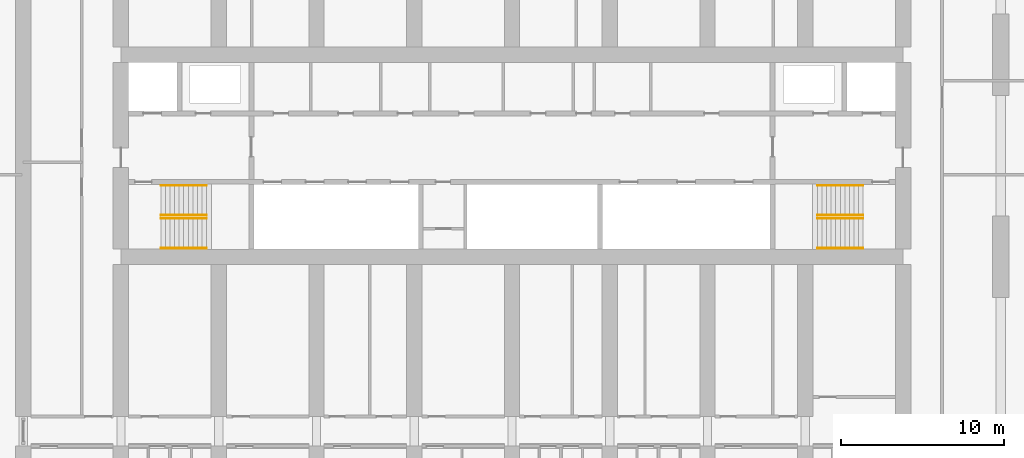
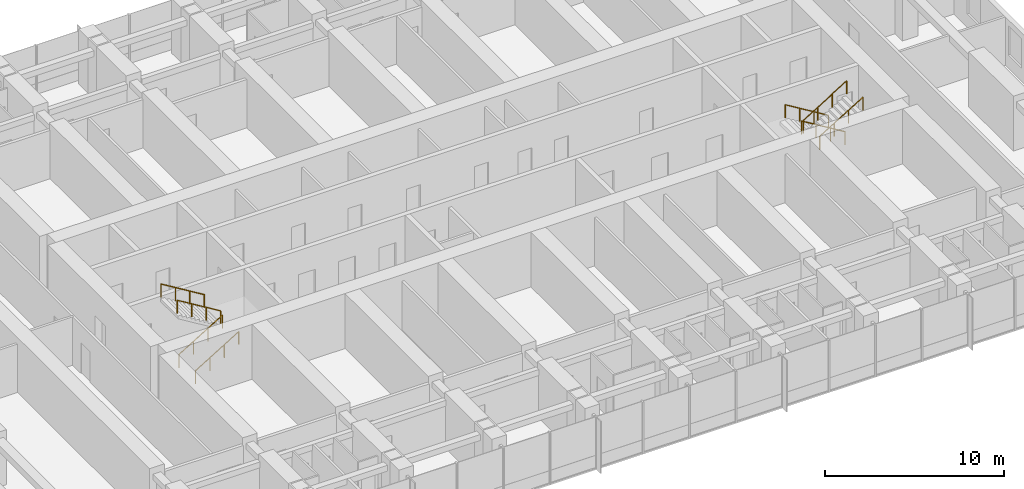
# One storey, part 21 of 21: 8 railings.
"""IFC4 building model written with IfcOpenShell, lengths in metres."""

from ifc_helpers import new_model, si_unit, direction, frame, origin, origin_2d, place, context, subcontext, project, spatial, circle, extrude, material, type_object, element, save


model = new_model("IFC4")

# Units and contexts
model_context = context("Model", 3, precision=1e-05, world=origin(), true_north=direction((0.0, 1.0)))
body_context = subcontext(model_context, "Body", "Model", "MODEL_VIEW")
ifc_project = project(units=[si_unit("LENGTHUNIT", "METRE"), si_unit("AREAUNIT", "SQUARE_METRE"), si_unit("VOLUMEUNIT", "CUBIC_METRE"), si_unit("PLANEANGLEUNIT", "RADIAN"), si_unit("MASSUNIT", "GRAM", prefix="KILO")], contexts=[model_context])

# Site, building, storey
site_placement = place(None, origin())
site = spatial("IfcSite", under=ifc_project, at=site_placement, CompositionType="ELEMENT")
building_placement = place(site_placement, origin())
building = spatial("IfcBuilding", under=site, at=building_placement, Name="Orbita Commons", CompositionType="ELEMENT")
storey_placement = place(building_placement, frame((0.0, 0.0, 110.64990234375)))
storey = spatial("IfcBuildingStorey", under=building, at=storey_placement, Name="L27", CompositionType="ELEMENT", Elevation=110.64990234375)

# Railings
ifc_material = material(Name="Steel tube, painted", Category="steel")
railing_type = type_object("IfcRailingType", Name="Stair handrail steel tube 900", PredefinedType="HANDRAIL", material=ifc_material)
for number, where, name in (
    (1, (20.449951171875, 28.1650390625, 0.170654296875), "Stair S1 handrail L27 flight 1"),
    (2, (20.449951171875, 26.3349609375, 0.170654296875), "Stair S1 handrail L27 flight 1"),
):
    element("IfcRailing", number, at=place(storey_placement, frame(where)), inside=storey, type_object=railing_type, Name=name, PredefinedType="HANDRAIL", context=body_context, shape_type="SweptSolid", body=[
        extrude(circle(Radius=0.02099609375, at=origin_2d()), frame((0.0, 0.0, 0.87890625), z_axis=(0.854202870247, 0.0, 0.519939858505), x_axis=(0.0, 1.0, 0.0)), (0.0, 0.0, 1.0), 3.278076171875),
        extrude(circle(Radius=0.02001953125, at=origin_2d()), origin(), (0.0, 0.0, 1.0), 0.85791015625),
        extrude(circle(Radius=0.02001953125, at=origin_2d()), frame((0.933349609375, 0.0, 0.568115234375)), (0.0, 0.0, 1.0), 0.85791015625),
        extrude(circle(Radius=0.02001953125, at=origin_2d()), frame((1.86669921875, 0.0, 1.13623046875)), (0.0, 0.0, 1.0), 0.85791015625),
        extrude(circle(Radius=0.02001953125, at=origin_2d()), frame((2.800048828125, 0.0, 1.704345703125)), (0.0, 0.0, 1.0), 0.85791015625),
    ])
for number, where, name in (
    (3, (23.25, 28.360107421875, 2.045654296875), "Stair S1 handrail L27 flight 2"),
    (4, (23.25, 30.18994140625, 2.045654296875), "Stair S1 handrail L27 flight 2"),
    (5, (63.550048828125, 28.360107421875, 0.170654296875), "Stair S2 handrail L27 flight 1"),
    (6, (63.550048828125, 30.18994140625, 0.170654296875), "Stair S2 handrail L27 flight 1"),
):
    element("IfcRailing", number, at=place(storey_placement, frame(where)), inside=storey, type_object=railing_type, Name=name, PredefinedType="HANDRAIL", context=body_context, shape_type="SweptSolid", body=[
        extrude(circle(Radius=0.02099609375, at=origin_2d()), frame((0.0, 0.0, 0.87890625), z_axis=(-0.854202870247, 0.0, 0.519939858505), x_axis=(0.0, -1.0, 0.0)), (0.0, 0.0, 1.0), 3.278076171875),
        extrude(circle(Radius=0.02001953125, at=origin_2d()), origin(), (0.0, 0.0, 1.0), 0.85791015625),
        extrude(circle(Radius=0.02001953125, at=origin_2d()), frame((-0.933349609375, 0.0, 0.568115234375)), (0.0, 0.0, 1.0), 0.85791015625),
        extrude(circle(Radius=0.02001953125, at=origin_2d()), frame((-1.86669921875, 0.0, 1.13623046875)), (0.0, 0.0, 1.0), 0.85791015625),
        extrude(circle(Radius=0.02001953125, at=origin_2d()), frame((-2.800048828125, 0.0, 1.704345703125)), (0.0, 0.0, 1.0), 0.85791015625),
    ])
for number, where, name in (
    (7, (60.75, 28.1650390625, 2.045654296875), "Stair S2 handrail L27 flight 2"),
    (8, (60.75, 26.3349609375, 2.045654296875), "Stair S2 handrail L27 flight 2"),
):
    element("IfcRailing", number, at=place(storey_placement, frame(where)), inside=storey, type_object=railing_type, Name=name, PredefinedType="HANDRAIL", context=body_context, shape_type="SweptSolid", body=[
        extrude(circle(Radius=0.02099609375, at=origin_2d()), frame((0.0, 0.0, 0.87890625), z_axis=(0.854202870247, 0.0, 0.519939858505), x_axis=(0.0, 1.0, 0.0)), (0.0, 0.0, 1.0), 3.278076171875),
        extrude(circle(Radius=0.02001953125, at=origin_2d()), origin(), (0.0, 0.0, 1.0), 0.85791015625),
        extrude(circle(Radius=0.02001953125, at=origin_2d()), frame((0.933349609375, 0.0, 0.568115234375)), (0.0, 0.0, 1.0), 0.85791015625),
        extrude(circle(Radius=0.02001953125, at=origin_2d()), frame((1.86669921875, 0.0, 1.13623046875)), (0.0, 0.0, 1.0), 0.85791015625),
        extrude(circle(Radius=0.02001953125, at=origin_2d()), frame((2.800048828125, 0.0, 1.704345703125)), (0.0, 0.0, 1.0), 0.85791015625),
    ])

save(model, "model.ifc")
